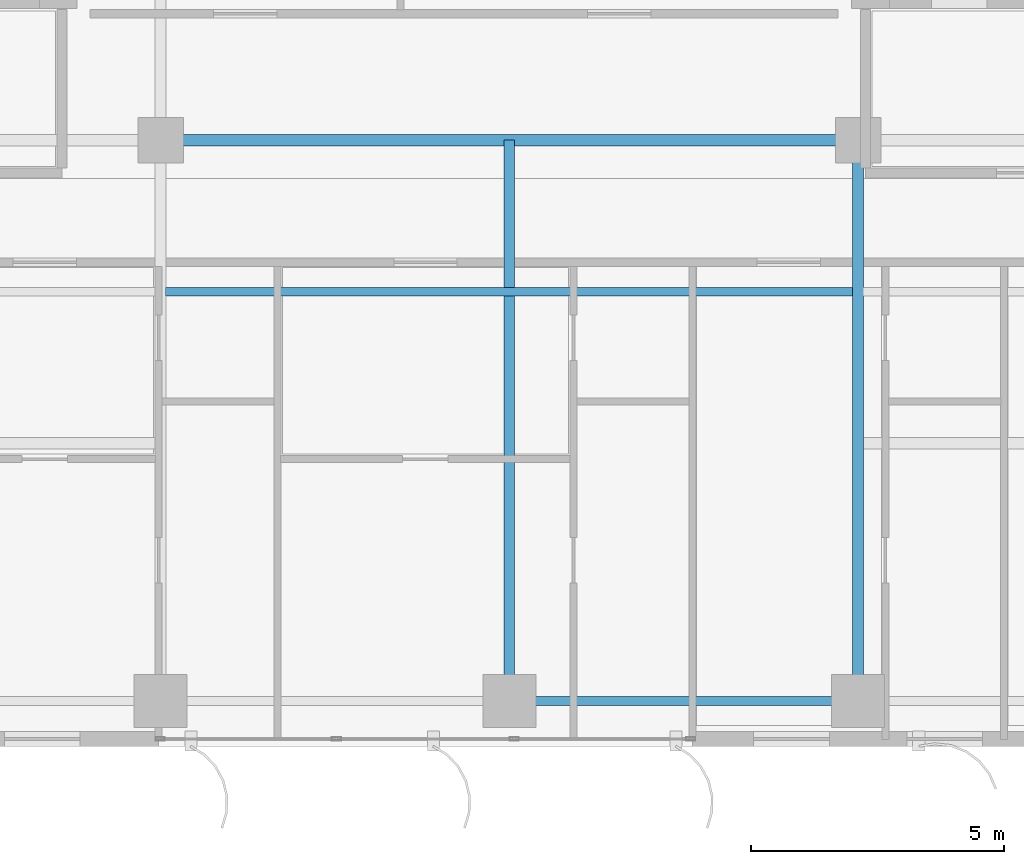
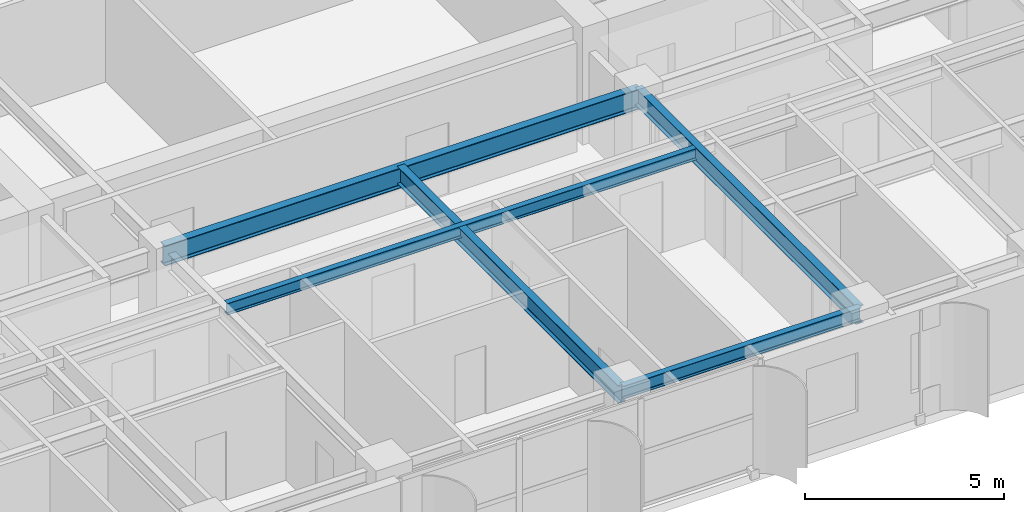
# One storey, part 3 of 22: 5 beams.
"""IFC4 building model written with IfcOpenShell, lengths in metres."""

from ifc_helpers import new_model, si_unit, direction, frame, origin, origin_2d, place, context, subcontext, project, spatial, i_section, extrude, source, transform, mapped, material, material_profile, profile_set, type_object, element, save


model = new_model("IFC4")

# Units and contexts
model_context = context("Model", 3, precision=1e-05, world=origin(), true_north=direction((0.0, 1.0)))
body_context = subcontext(model_context, "Body", "Model", "MODEL_VIEW")
ifc_project = project(units=[si_unit("LENGTHUNIT", "METRE"), si_unit("AREAUNIT", "SQUARE_METRE"), si_unit("VOLUMEUNIT", "CUBIC_METRE"), si_unit("PLANEANGLEUNIT", "RADIAN"), si_unit("MASSUNIT", "GRAM", prefix="KILO")], contexts=[model_context])

# Site, building, storey
site_placement = place(None, origin())
site = spatial("IfcSite", under=ifc_project, at=site_placement, CompositionType="ELEMENT")
building_placement = place(site_placement, origin())
building = spatial("IfcBuilding", under=site, at=building_placement, Name="Khoralis Quay Care Tower", CompositionType="ELEMENT")
storey_placement = place(building_placement, frame((0.0, 0.0, 101.699951171875)))
storey = spatial("IfcBuildingStorey", under=building, at=storey_placement, Name="L26", CompositionType="ELEMENT", Elevation=101.699951171875)

# Beams
ifc_material = material(Name="Steel S355", Category="steel")
ifc_material_profile_1 = material_profile(ifc_material, i_section(OverallWidth=0.179931640625, OverallDepth=0.39990234375, WebThickness=0.008544921875, FlangeThickness=0.013427734375, FilletRadius=0.02099609375, at=origin_2d()), Name="Steel S355")
ifc_profile_set_1 = profile_set([ifc_material_profile_1], Name="Steel S355")
beam_type_1 = type_object("IfcBeamType", Name="BM-IPE400", PredefinedType="SPANDREL", material=ifc_profile_set_1)
shared_shape_1 = source(origin(), body_context, "Body", "SweptSolid", [
    extrude(i_section(OverallWidth=0.179931640625, OverallDepth=0.39990234375, WebThickness=0.008544921875, FlangeThickness=0.013427734375, FilletRadius=0.02099609375, at=origin_2d()), origin(), (0.0, 0.0, 1.0), 6.89990234375),
])
beam_1_placement = place(storey_placement, frame((24.0, 0.89990234375, 3.14013671875), z_axis=(1.0, 0.0, 0.0), x_axis=(0.0, 1.0, 0.0)))
element("IfcBeam", 1, at=beam_1_placement, inside=storey, type_object=beam_type_1, Name="BM-TSP-L26-04", PredefinedType="SPANDREL", context=body_context, shape_type="MappedRepresentation", body=[
    mapped(shared_shape_1, transform((0.0, 0.0, 0.0), scale=1.0)),
])
ifc_material_profile_2 = material_profile(ifc_material, i_section(OverallWidth=0.22998046875, OverallDepth=0.616943359375, WebThickness=0.01318359375, FlangeThickness=0.022216796875, FilletRadius=0.01806640625, at=origin_2d()), Name="Steel S355")
ifc_profile_set_2 = profile_set([ifc_material_profile_2], Name="Steel S355")
beam_type_2 = type_object("IfcBeamType", Name="BM-W610X140", PredefinedType="BEAM", material=ifc_profile_set_2)
shared_shape_2 = source(origin(), body_context, "Body", "SweptSolid", [
    extrude(i_section(OverallWidth=0.22998046875, OverallDepth=0.616943359375, WebThickness=0.01318359375, FlangeThickness=0.022216796875, FilletRadius=0.01806640625, at=origin_2d()), origin(), (0.0, 0.0, 1.0), 13.7998046875),
])
beam_2_placement = place(storey_placement, frame((17.10009765625, 12.0, 3.031494140625), z_axis=(1.0, 0.0, 0.0), x_axis=(0.0, 1.0, 0.0)))
element("IfcBeam", 2, at=beam_2_placement, inside=storey, type_object=beam_type_2, Name="BM-TGCC-L26-120", PredefinedType="BEAM", context=body_context, shape_type="MappedRepresentation", body=[
    mapped(shared_shape_2, transform((0.0, 0.0, 0.0), scale=1.0)),
])
ifc_material_profile_3 = material_profile(ifc_material, i_section(OverallWidth=0.2119140625, OverallDepth=0.5439453125, WebThickness=0.01318359375, FlangeThickness=0.021240234375, FilletRadius=0.01611328125, at=origin_2d()), Name="Steel S355")
ifc_profile_set_3 = profile_set([ifc_material_profile_3], Name="Steel S355")
beam_type_3 = type_object("IfcBeamType", Name="BM-W530X123", PredefinedType="BEAM", material=ifc_profile_set_3)
shared_shape_3 = source(origin(), body_context, "Body", "SweptSolid", [
    extrude(i_section(OverallWidth=0.2119140625, OverallDepth=0.5439453125, WebThickness=0.01318359375, FlangeThickness=0.021240234375, FilletRadius=0.01611328125, at=origin_2d()), origin(), (0.0, 0.0, 1.0), 11.10009765625),
])
for number, where, z_axis, x_axis, name in (
    (3, (24.0, 0.89990234375, 3.068115234375), (0.0, 1.0, 0.0), (-1.0, 0.0, 0.0), "BM-TGYS-L26-240"),
    (4, (30.89990234375, 0.89990234375, 3.068115234375), (0.0, 1.0, 0.0), (-1.0, 0.0, 0.0), "BM-TGYS-L26-309"),
):
    element("IfcBeam", number, at=place(storey_placement, frame(where, z_axis=z_axis, x_axis=x_axis)), inside=storey, type_object=beam_type_3, Name=name, PredefinedType="BEAM", context=body_context, shape_type="MappedRepresentation", body=[
        mapped(shared_shape_3, transform((0.0, 0.0, 0.0), scale=1.0)),
    ])
ifc_material_profile_4 = material_profile(ifc_material, i_section(OverallWidth=0.1708984375, OverallDepth=0.35498046875, WebThickness=0.007080078125, FlangeThickness=0.01171875, FilletRadius=0.012939453125, at=origin_2d()), Name="Steel S355")
ifc_profile_set_4 = profile_set([ifc_material_profile_4], Name="Steel S355")
beam_type_4 = type_object("IfcBeamType", Name="BM-W360X51", PredefinedType="JOIST", material=ifc_profile_set_4)
shared_shape_4 = source(origin(), body_context, "Body", "SweptSolid", [
    extrude(i_section(OverallWidth=0.1708984375, OverallDepth=0.35498046875, WebThickness=0.007080078125, FlangeThickness=0.01171875, FilletRadius=0.012939453125, at=origin_2d()), origin(), (0.0, 0.0, 1.0), 13.61181640625),
])
beam_3_placement = place(storey_placement, frame((17.194091796875, 9.0, 3.16259765625), z_axis=(1.0, 0.0, 0.0), x_axis=(0.0, 1.0, 0.0)))
element("IfcBeam", 5, at=beam_3_placement, inside=storey, type_object=beam_type_4, Name="BM-TJS-L26-27", PredefinedType="JOIST", context=body_context, shape_type="MappedRepresentation", body=[
    mapped(shared_shape_4, transform((0.0, 0.0, 0.0), scale=1.0)),
])

save(model, "model.ifc")
